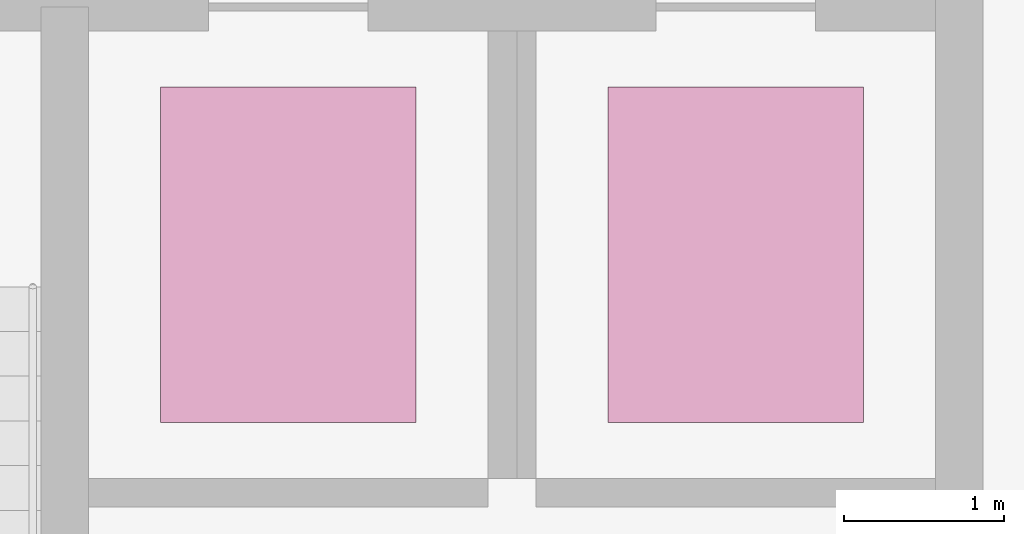
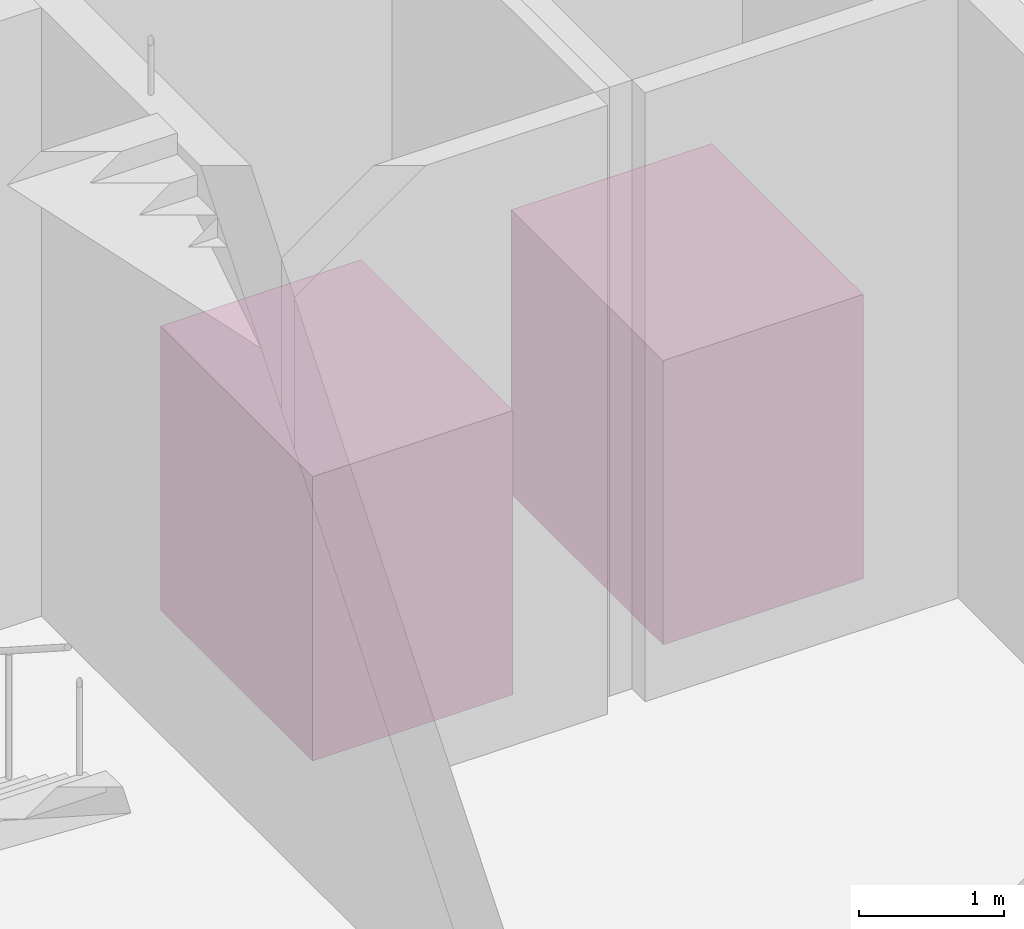
# One storey, part 84 of 84: 2 transport elements.
"""IFC4 building model written with IfcOpenShell, lengths in metres."""

from ifc_helpers import new_model, si_unit, direction, frame, origin, origin_2d, place, context, subcontext, project, spatial, rectangle, extrude, material, type_object, element, save


model = new_model("IFC4")

# Units and contexts
model_context = context("Model", 3, precision=1e-05, world=origin(), true_north=direction((0.0, 1.0)))
body_context = subcontext(model_context, "Body", "Model", "MODEL_VIEW")
ifc_project = project(units=[si_unit("LENGTHUNIT", "METRE"), si_unit("AREAUNIT", "SQUARE_METRE"), si_unit("VOLUMEUNIT", "CUBIC_METRE"), si_unit("PLANEANGLEUNIT", "RADIAN"), si_unit("MASSUNIT", "GRAM", prefix="KILO")], contexts=[model_context])

# Site, building, storey
site_placement = place(None, origin())
site = spatial("IfcSite", under=ifc_project, at=site_placement, CompositionType="ELEMENT")
building_placement = place(site_placement, origin())
building = spatial("IfcBuilding", under=site, at=building_placement, Name="Mzevani Central Library", CompositionType="ELEMENT")
storey_placement = place(building_placement, origin())
storey = spatial("IfcBuildingStorey", under=building, at=storey_placement, Name="L00", CompositionType="ELEMENT", Elevation=0.0)

# Transport elements
ifc_material = material(Name="Brushed stainless steel cab", Category="steel")
transport_element_type = type_object("IfcTransportElementType", Name="Public Passenger Lift 1350kg", PredefinedType="ELEVATOR", material=ifc_material)
for number, where, z_axis, x_axis, name in (
    (1, (52.449951171875, 49.89990234375, 0.0), (0.0, 0.0, 1.0), (1.0, 0.0, 0.0), "Elevator Car LF-P1"),
    (2, (55.25, 49.89990234375, 0.0), (0.0, 0.0, 1.0), (1.0, 0.0, 0.0), "Elevator Car LF-P2"),
):
    element("IfcTransportElement", number, at=place(storey_placement, frame(where, z_axis=z_axis, x_axis=x_axis)), inside=storey, type_object=transport_element_type, Name=name, PredefinedType="ELEVATOR", context=body_context, shape_type="SweptSolid", body=[
        extrude(rectangle(XDim=1.60009765625, YDim=2.10009765625, at=origin_2d()), origin(), (0.0, 0.0, 1.0), 2.39990234375),
    ])

save(model, "model.ifc")
